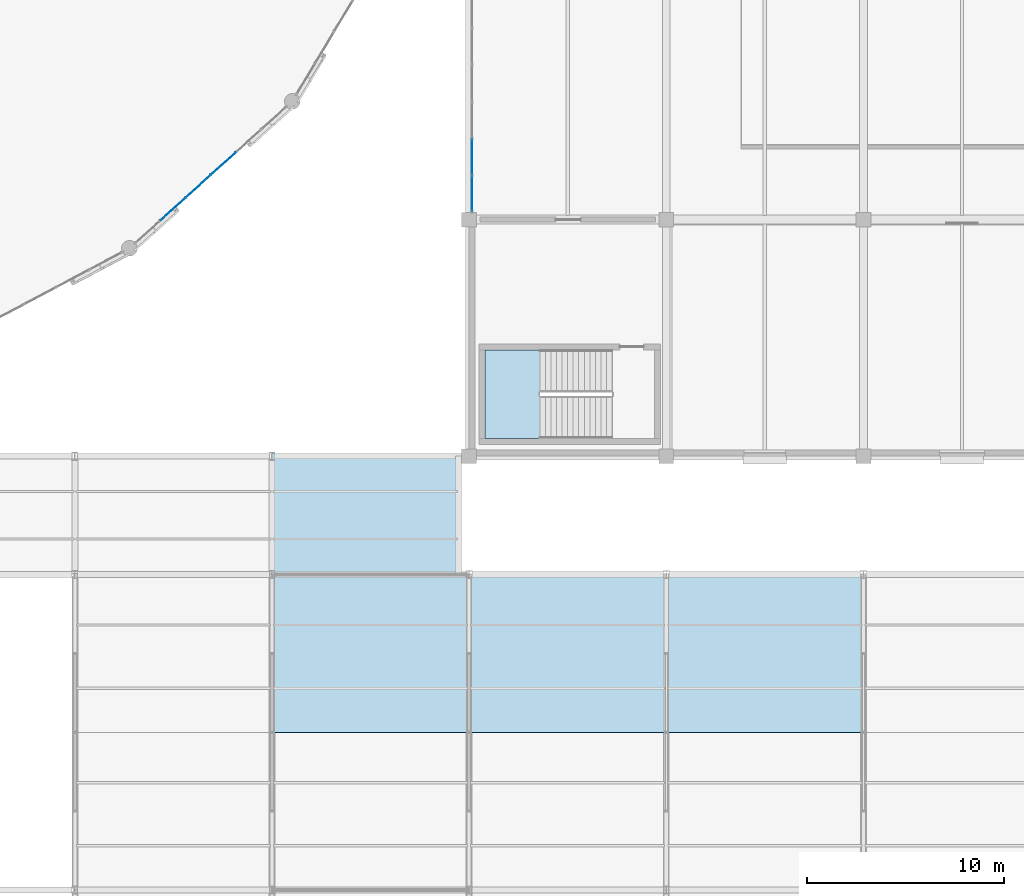
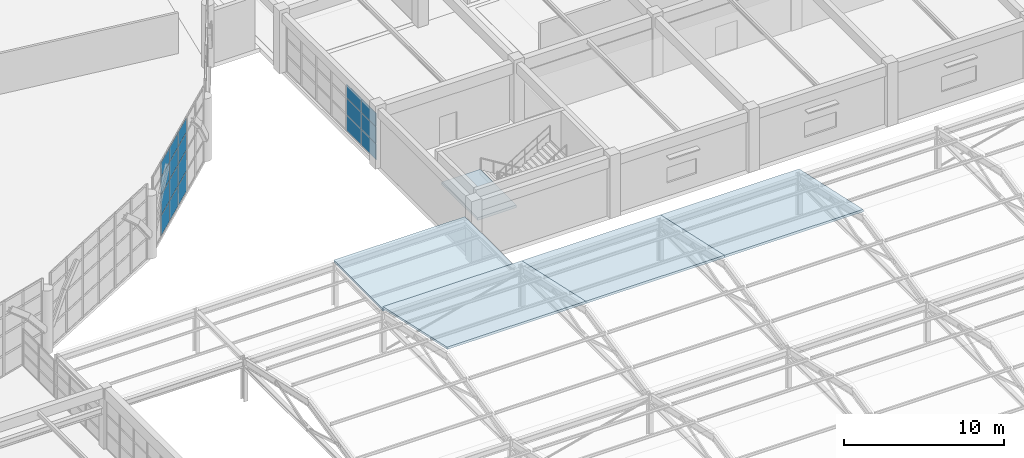
# One storey, part 66 of 109: 18 plates, 5 slabs, 4 elements without a shape of their own.
"""IFC4 building model written with IfcOpenShell, lengths in metres."""

from ifc_helpers import new_model, si_unit, direction, frame, origin, origin_2d, place, context, subcontext, project, spatial, polyline, rectangle, outline, extrude, material, layer, layer_set, type_object, element, aggregate, save


model = new_model("IFC4")

# Units and contexts
model_context = context("Model", 3, precision=1e-05, world=origin(), true_north=direction((0.0, 1.0)))
body_context = subcontext(model_context, "Body", "Model", "MODEL_VIEW")
ifc_project = project(units=[si_unit("LENGTHUNIT", "METRE"), si_unit("AREAUNIT", "SQUARE_METRE"), si_unit("VOLUMEUNIT", "CUBIC_METRE"), si_unit("PLANEANGLEUNIT", "RADIAN"), si_unit("MASSUNIT", "GRAM", prefix="KILO")], contexts=[model_context])

# Site, building, storey
site_placement = place(None, origin())
site = spatial("IfcSite", under=ifc_project, at=site_placement, CompositionType="ELEMENT")
building_placement = place(site_placement, origin())
building = spatial("IfcBuilding", under=site, at=building_placement, Name="Kivolera Central Railway Station", CompositionType="ELEMENT")
storey_placement = place(building_placement, frame((0.0, 0.0, 9.60009765625)))
storey = spatial("IfcBuildingStorey", under=building, at=storey_placement, Name="L02", CompositionType="ELEMENT", Elevation=9.60009765625)

# Curtain wall, plates
ifc_material_1 = material(Name="Anodised aluminium", Category="aluminium")
ifc_layer_1 = layer(ifc_material_1, 0.179931640625, Name="Anodised aluminium")
ifc_layer_set_1 = layer_set([ifc_layer_1], Name="Anodised aluminium")
curtain_wall_type_1 = type_object("IfcCurtainWallType", Name="CW-SYS-28", PredefinedType="NOTDEFINED", material=ifc_layer_set_1)
curtain_wall_1_placement = place(storey_placement, origin())
curtain_wall_1 = element("IfcCurtainWall", 1, at=curtain_wall_1_placement, inside=storey, type_object=curtain_wall_type_1, Name="L02 Curtain Wall CW-L02-WEST-F", PredefinedType="NOTDEFINED")
ifc_material_2 = material(Name="Double low-E laminated glass", Category="glass")
ifc_layer_2 = layer(ifc_material_2, 0.030029296875, Name="Double low-E laminated glass")
ifc_layer_set_2 = layer_set([ifc_layer_2], Name="Double low-E laminated glass")
plate_type_1 = type_object("IfcPlateType", Name="CWP-GLZ-2", PredefinedType="CURTAIN_PANEL", material=ifc_layer_set_2)
plate_1_placement = place(storey_placement, frame((118.153076171875, 67.325927734375, 0.057861328125), z_axis=(0.0, 0.0, 1.0), x_axis=(0.0, 1.0, 0.0)))
plate_1 = element("IfcPlate", 2, at=plate_1_placement, type_object=plate_type_1, Name="CW-28 panel 1.1", PredefinedType="CURTAIN_PANEL", context=body_context, shape_type="SweptSolid", body=[
    extrude(rectangle(XDim=1.795654296875, YDim=0.030029296875, at=origin_2d()), origin(), (0.0, 0.0, 1.0), 1.19921875),
])
plate_2_placement = place(storey_placement, frame((118.153076171875, 67.325927734375, 1.30322265625), z_axis=(0.0, 0.0, 1.0), x_axis=(0.0, 1.0, 0.0)))
plate_2 = element("IfcPlate", 3, at=plate_2_placement, type_object=plate_type_1, Name="CW-28 panel 1.2", PredefinedType="CURTAIN_PANEL", context=body_context, shape_type="SweptSolid", body=[
    extrude(rectangle(XDim=1.795654296875, YDim=0.030029296875, at=origin_2d()), origin(), (0.0, 0.0, 1.0), 1.234375),
])
plate_3_placement = place(storey_placement, frame((118.153076171875, 67.325927734375, 2.58349609375), z_axis=(0.0, 0.0, 1.0), x_axis=(0.0, 1.0, 0.0)))
plate_3 = element("IfcPlate", 4, at=plate_3_placement, type_object=plate_type_1, Name="CW-28 panel 1.3", PredefinedType="CURTAIN_PANEL", context=body_context, shape_type="SweptSolid", body=[
    extrude(rectangle(XDim=1.795654296875, YDim=0.030029296875, at=origin_2d()), origin(), (0.0, 0.0, 1.0), 1.016357421875),
])
plate_4_placement = place(storey_placement, frame((118.153076171875, 69.18505859375, 0.057861328125), z_axis=(0.0, 0.0, 1.0), x_axis=(0.0, 1.0, 0.0)))
plate_4 = element("IfcPlate", 5, at=plate_4_placement, type_object=plate_type_1, Name="CW-28 panel 2.1", PredefinedType="CURTAIN_PANEL", context=body_context, shape_type="SweptSolid", body=[
    extrude(rectangle(XDim=1.83056640625, YDim=0.030029296875, at=origin_2d()), origin(), (0.0, 0.0, 1.0), 1.19921875),
])
plate_5_placement = place(storey_placement, frame((118.153076171875, 69.18505859375, 1.30322265625), z_axis=(0.0, 0.0, 1.0), x_axis=(0.0, 1.0, 0.0)))
plate_5 = element("IfcPlate", 6, at=plate_5_placement, type_object=plate_type_1, Name="CW-28 panel 2.2", PredefinedType="CURTAIN_PANEL", context=body_context, shape_type="SweptSolid", body=[
    extrude(rectangle(XDim=1.83056640625, YDim=0.030029296875, at=origin_2d()), origin(), (0.0, 0.0, 1.0), 1.234375),
])
plate_6_placement = place(storey_placement, frame((118.153076171875, 69.18505859375, 2.58349609375), z_axis=(0.0, 0.0, 1.0), x_axis=(0.0, 1.0, 0.0)))
plate_6 = element("IfcPlate", 7, at=plate_6_placement, type_object=plate_type_1, Name="CW-28 panel 2.3", PredefinedType="CURTAIN_PANEL", context=body_context, shape_type="SweptSolid", body=[
    extrude(rectangle(XDim=1.83056640625, YDim=0.030029296875, at=origin_2d()), origin(), (0.0, 0.0, 1.0), 1.016357421875),
])
aggregate(curtain_wall_1, [plate_1, plate_2, plate_3, plate_4, plate_5, plate_6])

ifc_layer_3 = layer(ifc_material_1, 0.179931640625, Name="Anodised aluminium")
ifc_layer_set_3 = layer_set([ifc_layer_3], Name="Anodised aluminium")
curtain_wall_type_2 = type_object("IfcCurtainWallType", Name="CW-SYS-06", PredefinedType="NOTDEFINED", material=ifc_layer_set_3)
curtain_wall_2_placement = place(storey_placement, origin())
curtain_wall_2 = element("IfcCurtainWall", 8, at=curtain_wall_2_placement, inside=storey, type_object=curtain_wall_type_2, Name="L02 Curtain Wall CW-L02-OVL-21", PredefinedType="NOTDEFINED")
ifc_layer_4 = layer(ifc_material_2, 0.0380859375, Name="Double low-E laminated glass")
ifc_layer_set_4 = layer_set([ifc_layer_4], Name="Double low-E laminated glass")
plate_type_2 = type_object("IfcPlateType", Name="CWP-GLZ-4", PredefinedType="CURTAIN_PANEL", material=ifc_layer_set_4)
plate_7_placement = place(storey_placement, frame((105.54052734375, 68.8486328125, 0.057861328125), z_axis=(0.0, 0.0, 1.0), x_axis=(-0.742431873669, -0.669921572246, 0.0)))
plate_7 = element("IfcPlate", 9, at=plate_7_placement, type_object=plate_type_2, Name="CW-06 panel 3.1", PredefinedType="CURTAIN_PANEL", context=body_context, shape_type="SweptSolid", body=[
    extrude(rectangle(XDim=1.675537109375, YDim=0.0380859375, at=origin_2d()), origin(), (0.0, 0.0, 1.0), 1.51904296875),
])
plate_8_placement = place(storey_placement, frame((105.54052734375, 68.8486328125, 1.623046875), z_axis=(0.0, 0.0, 1.0), x_axis=(-0.742431873669, -0.669921572246, 0.0)))
plate_8 = element("IfcPlate", 10, at=plate_8_placement, type_object=plate_type_2, Name="CW-06 panel 3.2", PredefinedType="CURTAIN_PANEL", context=body_context, shape_type="SweptSolid", body=[
    extrude(rectangle(XDim=1.675537109375, YDim=0.0380859375, at=origin_2d()), origin(), (0.0, 0.0, 1.0), 1.553955078125),
])
plate_9_placement = place(storey_placement, frame((105.54052734375, 68.8486328125, 3.22314453125), z_axis=(0.0, 0.0, 1.0), x_axis=(-0.742431873669, -0.669921572246, 0.0)))
plate_9 = element("IfcPlate", 11, at=plate_9_placement, type_object=plate_type_2, Name="CW-06 panel 3.3", PredefinedType="CURTAIN_PANEL", context=body_context, shape_type="SweptSolid", body=[
    extrude(rectangle(XDim=1.675537109375, YDim=0.0380859375, at=origin_2d()), origin(), (0.0, 0.0, 1.0), 1.303955078125),
])
plate_10_placement = place(storey_placement, frame((105.54052734375, 68.8486328125, 4.57275390625), z_axis=(0.0, 0.0, 1.0), x_axis=(-0.742431873669, -0.669921572246, 0.0)))
plate_10 = element("IfcPlate", 12, at=plate_10_placement, type_object=plate_type_2, Name="CW-06 panel 3.4", PredefinedType="CURTAIN_PANEL", context=body_context, shape_type="SweptSolid", body=[
    extrude(rectangle(XDim=1.675537109375, YDim=0.0380859375, at=origin_2d()), origin(), (0.0, 0.0, 1.0), 1.069091796875),
])
plate_11_placement = place(storey_placement, frame((104.262451171875, 67.6953125, 0.057861328125), z_axis=(0.0, 0.0, 1.0), x_axis=(-0.742431873669, -0.669921572246, 0.0)))
plate_11 = element("IfcPlate", 13, at=plate_11_placement, type_object=plate_type_2, Name="CW-06 panel 4.1", PredefinedType="CURTAIN_PANEL", context=body_context, shape_type="SweptSolid", body=[
    extrude(rectangle(XDim=1.675537109375, YDim=0.0380859375, at=origin_2d()), origin(), (0.0, 0.0, 1.0), 1.51904296875),
])
plate_12_placement = place(storey_placement, frame((104.262451171875, 67.6953125, 1.623046875), z_axis=(0.0, 0.0, 1.0), x_axis=(-0.742431873669, -0.669921572246, 0.0)))
plate_12 = element("IfcPlate", 14, at=plate_12_placement, type_object=plate_type_2, Name="CW-06 panel 4.2", PredefinedType="CURTAIN_PANEL", context=body_context, shape_type="SweptSolid", body=[
    extrude(rectangle(XDim=1.675537109375, YDim=0.0380859375, at=origin_2d()), origin(), (0.0, 0.0, 1.0), 1.553955078125),
])
plate_13_placement = place(storey_placement, frame((104.262451171875, 67.6953125, 3.22314453125), z_axis=(0.0, 0.0, 1.0), x_axis=(-0.742431873669, -0.669921572246, 0.0)))
plate_13 = element("IfcPlate", 15, at=plate_13_placement, type_object=plate_type_2, Name="CW-06 panel 4.3", PredefinedType="CURTAIN_PANEL", context=body_context, shape_type="SweptSolid", body=[
    extrude(rectangle(XDim=1.675537109375, YDim=0.0380859375, at=origin_2d()), origin(), (0.0, 0.0, 1.0), 1.303955078125),
])
plate_14_placement = place(storey_placement, frame((104.262451171875, 67.6953125, 4.57275390625), z_axis=(0.0, 0.0, 1.0), x_axis=(-0.742431873669, -0.669921572246, 0.0)))
plate_14 = element("IfcPlate", 16, at=plate_14_placement, type_object=plate_type_2, Name="CW-06 panel 4.4", PredefinedType="CURTAIN_PANEL", context=body_context, shape_type="SweptSolid", body=[
    extrude(rectangle(XDim=1.675537109375, YDim=0.0380859375, at=origin_2d()), origin(), (0.0, 0.0, 1.0), 1.069091796875),
])
plate_15_placement = place(storey_placement, frame((102.984130859375, 66.5419921875, 0.057861328125), z_axis=(0.0, 0.0, 1.0), x_axis=(-0.742431873669, -0.669921572246, 0.0)))
plate_15 = element("IfcPlate", 17, at=plate_15_placement, type_object=plate_type_2, Name="CW-06 panel 5.1", PredefinedType="CURTAIN_PANEL", context=body_context, shape_type="SweptSolid", body=[
    extrude(rectangle(XDim=1.675537109375, YDim=0.0380859375, at=origin_2d()), origin(), (0.0, 0.0, 1.0), 1.51904296875),
])
plate_16_placement = place(storey_placement, frame((102.984130859375, 66.5419921875, 1.623046875), z_axis=(0.0, 0.0, 1.0), x_axis=(-0.742431873669, -0.669921572246, 0.0)))
plate_16 = element("IfcPlate", 18, at=plate_16_placement, type_object=plate_type_2, Name="CW-06 panel 5.2", PredefinedType="CURTAIN_PANEL", context=body_context, shape_type="SweptSolid", body=[
    extrude(rectangle(XDim=1.675537109375, YDim=0.0380859375, at=origin_2d()), origin(), (0.0, 0.0, 1.0), 1.553955078125),
])
plate_17_placement = place(storey_placement, frame((102.984130859375, 66.5419921875, 3.22314453125), z_axis=(0.0, 0.0, 1.0), x_axis=(-0.742431873669, -0.669921572246, 0.0)))
plate_17 = element("IfcPlate", 19, at=plate_17_placement, type_object=plate_type_2, Name="CW-06 panel 5.3", PredefinedType="CURTAIN_PANEL", context=body_context, shape_type="SweptSolid", body=[
    extrude(rectangle(XDim=1.675537109375, YDim=0.0380859375, at=origin_2d()), origin(), (0.0, 0.0, 1.0), 1.303955078125),
])
plate_18_placement = place(storey_placement, frame((102.984130859375, 66.5419921875, 4.57275390625), z_axis=(0.0, 0.0, 1.0), x_axis=(-0.742431873669, -0.669921572246, 0.0)))
plate_18 = element("IfcPlate", 20, at=plate_18_placement, type_object=plate_type_2, Name="CW-06 panel 5.4", PredefinedType="CURTAIN_PANEL", context=body_context, shape_type="SweptSolid", body=[
    extrude(rectangle(XDim=1.675537109375, YDim=0.0380859375, at=origin_2d()), origin(), (0.0, 0.0, 1.0), 1.069091796875),
])
aggregate(curtain_wall_2, [plate_7, plate_8, plate_9, plate_10, plate_11, plate_12, plate_13, plate_14, plate_15, plate_16, plate_17, plate_18])

# Stair, slab
ifc_material_3 = material(Name="Concrete C40/50", Category="concrete")
stair_type = type_object("IfcStairType", Name="STR-2160-28", PredefinedType="HALF_TURN_STAIR", material=ifc_material_3)
stair_placement = place(storey_placement, origin())
stair = element("IfcStair", 21, at=stair_placement, inside=storey, type_object=stair_type, Name="L02 Protected Exit Stair ST4", PredefinedType="HALF_TURN_STAIR")
ifc_layer_5 = layer(ifc_material_3, 0.199951171875, Name="Concrete C40/50")
ifc_layer_set_5 = layer_set([ifc_layer_5], Name="Concrete C40/50")
slab_type_1 = type_object("IfcSlabType", Name="SLB-LND-200", PredefinedType="LANDING", material=ifc_layer_set_5)
slab_1_placement = place(storey_placement, frame((0.0, 0.0, 2.199951171875)))
slab_1 = element("IfcSlab", 22, at=slab_1_placement, type_object=slab_type_1, Name="ST4 landing 1", PredefinedType="LANDING", context=body_context, shape_type="SweptSolid", body=[
    extrude(outline(polyline([(121.60009765625, 59.39990234375), (118.800048828125, 59.39990234375), (118.800048828125, 54.89990234375), (121.60009765625, 54.89990234375), (121.60009765625, 59.39990234375)])), origin(), (0.0, 0.0, 1.0), 0.199951171875),
])
aggregate(stair, [slab_1])

# Roof, slabs
ifc_material_4 = material(Name="Steel S355", Category="steel")
roof_type = type_object("IfcRoofType", Name="ROOF-SYS-1", PredefinedType="GABLE_ROOF", material=ifc_material_4)
roof_placement = place(storey_placement, origin())
roof = element("IfcRoof", 23, at=roof_placement, inside=storey, type_object=roof_type, Name="Southern Through-Platform Dual-Pitch Steel Train-Shed Roof", PredefinedType="GABLE_ROOF")
ifc_material_5 = material(Name="Precast concrete C40/50", Category="concrete")
ifc_layer_6 = layer(ifc_material_5, 0.159912109375, Name="Precast concrete C40/50")
ifc_layer_set_6 = layer_set([ifc_layer_6], Name="Precast concrete C40/50")
slab_type_2 = type_object("IfcSlabType", Name="SLB-SHED-160", PredefinedType="ROOF", material=ifc_layer_set_6)
slab_2_placement = place(storey_placement, frame((108.0, 40.0, 5.35986328125), z_axis=(0.0, 0.214862919829, 0.97664421653), x_axis=(1.0, 0.0, 0.0)))
slab_2 = element("IfcSlab", 24, at=slab_2_placement, type_object=slab_type_2, Name="Train Shed Sloped Roof Panel CD-11N", PredefinedType="ROOF", context=body_context, shape_type="SweptSolid", body=[
    extrude(outline(polyline([(0.0, 0.0), (10.0, 0.0), (10.0, 8.19131456941408), (0.0, 8.19131456941408), (0.0, 0.0)])), origin(), (0.0, 0.0, -1.0), 0.159912109375),
])
slab_3_placement = place(storey_placement, frame((118.0, 40.0, 5.35986328125), z_axis=(0.0, 0.214862919829, 0.97664421653), x_axis=(1.0, 0.0, 0.0)))
slab_3 = element("IfcSlab", 25, at=slab_3_placement, type_object=slab_type_2, Name="Train Shed Sloped Roof Panel CD-12N", PredefinedType="ROOF", context=body_context, shape_type="SweptSolid", body=[
    extrude(outline(polyline([(0.0, 0.0), (10.0, 0.0), (10.0, 8.19131456941408), (0.0, 8.19131456941408), (0.0, 0.0)])), origin(), (0.0, 0.0, -1.0), 0.159912109375),
])
slab_4_placement = place(storey_placement, frame((128.0, 40.0, 5.35986328125), z_axis=(0.0, 0.214862919829, 0.97664421653), x_axis=(1.0, 0.0, 0.0)))
slab_4 = element("IfcSlab", 26, at=slab_4_placement, type_object=slab_type_2, Name="Train Shed Sloped Roof Panel CD-13N", PredefinedType="ROOF", context=body_context, shape_type="SweptSolid", body=[
    extrude(outline(polyline([(0.0, 0.0), (10.0, 0.0), (10.0, 8.19131456941408), (0.0, 8.19131456941408), (0.0, 0.0)])), origin(), (0.0, 0.0, -1.0), 0.159912109375),
])
slab_5_placement = place(storey_placement, frame((108.0, 48.0, 3.411865234375), z_axis=(0.0, -0.002262796906, 0.999997439872), x_axis=(1.0, 0.0, 0.0)))
slab_5 = element("IfcSlab", 27, at=slab_5_placement, type_object=slab_type_2, Name="Train Shed Threshold Canopy Roof Panel DE-11", PredefinedType="ROOF", context=body_context, shape_type="SweptSolid", body=[
    extrude(outline(polyline([(0.0, 0.0), (9.4599609375, 0.0), (9.4599609375, 6.149918088328707), (0.0, 6.149918088328707), (0.0, 0.0)])), origin(), (0.0, 0.0, -1.0), 0.159912109375),
])
aggregate(roof, [slab_2, slab_3, slab_4, slab_5])

save(model, "model.ifc")
